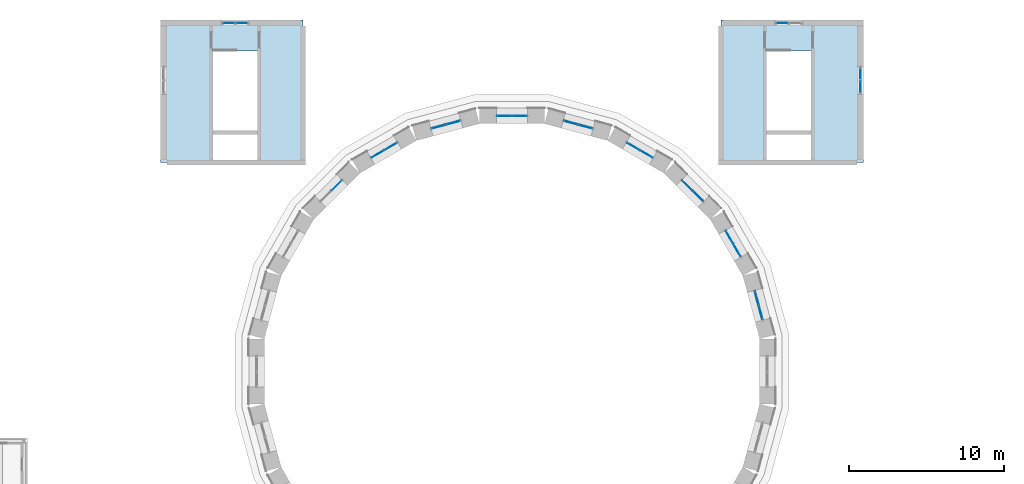
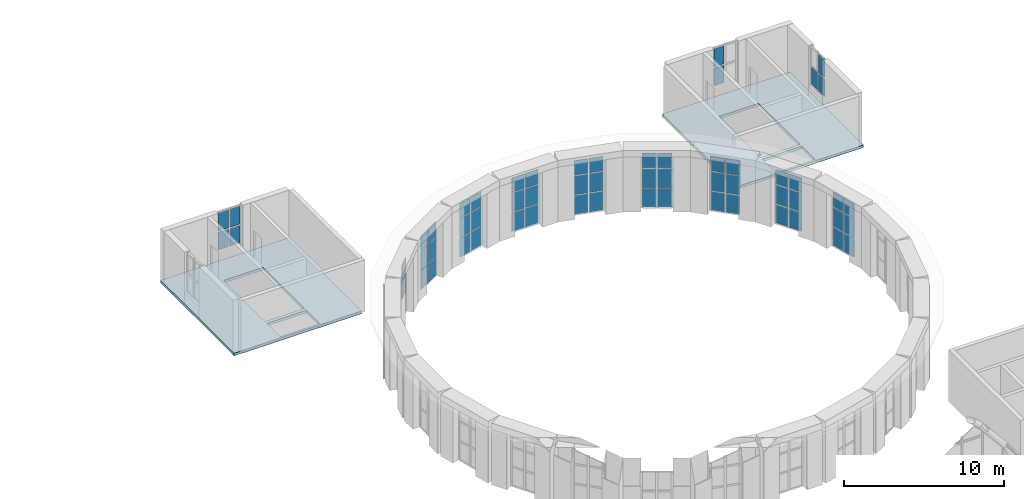
# One storey, part 85 of 121: 59 plates, 2 slabs, 12 elements without a shape of their own.
"""IFC4 building model written with IfcOpenShell, lengths in metres."""

from ifc_helpers import new_model, si_unit, direction, frame, origin, origin_2d, place, context, subcontext, project, spatial, polyline, rectangle, outline, extrude, material, layer, layer_set, type_object, element, aggregate, save


model = new_model("IFC4")

# Units and contexts
model_context = context("Model", 3, precision=1e-05, world=origin(), true_north=direction((0.0, 1.0)))
body_context = subcontext(model_context, "Body", "Model", "MODEL_VIEW")
ifc_project = project(units=[si_unit("LENGTHUNIT", "METRE"), si_unit("AREAUNIT", "SQUARE_METRE"), si_unit("VOLUMEUNIT", "CUBIC_METRE"), si_unit("PLANEANGLEUNIT", "RADIAN"), si_unit("MASSUNIT", "GRAM", prefix="KILO")], contexts=[model_context])

# Site, building, storey
site_placement = place(None, origin())
site = spatial("IfcSite", under=ifc_project, at=site_placement, CompositionType="ELEMENT")
building_placement = place(site_placement, origin())
building = spatial("IfcBuilding", under=site, at=building_placement, Name="Golden Quay Civic Hall", CompositionType="ELEMENT")
storey_placement = place(building_placement, frame((0.0, 0.0, 18.60009765625)))
storey = spatial("IfcBuildingStorey", under=building, at=storey_placement, Name="L04", CompositionType="ELEMENT", Elevation=18.60009765625)

# Slabs
ifc_material_1 = material(Name="Concrete C35/45", Category="concrete")
ifc_layer_1 = layer(ifc_material_1, 0.199951171875)
ifc_layer_set_1 = layer_set([ifc_layer_1], Name="Composite floor 200")
slab_type = type_object("IfcSlabType", Name="Composite floor 200", PredefinedType="FLOOR", material=ifc_layer_set_1)
slab_1_placement = place(storey_placement, frame((0.0, 0.0, -0.2001953125)))
element("IfcSlab", 1, at=slab_1_placement, inside=storey, type_object=slab_type, Name="Slab", PredefinedType="FLOOR", context=body_context, shape_type="SweptSolid", body=[
    extrude(outline(polyline([(72.0, 108.199951171875), (72.0, 99.0), (62.800048828125, 99.0), (62.800048828125, 108.199951171875), (72.0, 108.199951171875)]), holes=[polyline([(69.050048828125, 99.14990234375), (69.050048828125, 100.800048828125), (66.199951171875, 100.800048828125), (66.199951171875, 99.14990234375), (69.050048828125, 99.14990234375)]), polyline([(69.050048828125, 101.050048828125), (69.050048828125, 106.195068359375), (66.199951171875, 106.195068359375), (66.199951171875, 101.050048828125), (69.050048828125, 101.050048828125)])]), origin(), (0.0, 0.0, 1.0), 0.2001953125),
])
slab_2_placement = place(storey_placement, frame((0.0, 0.0, -0.2001953125)))
element("IfcSlab", 2, at=slab_2_placement, inside=storey, type_object=slab_type, Name="Slab", PredefinedType="FLOOR", context=body_context, shape_type="SweptSolid", body=[
    extrude(outline(polyline([(108.199951171875, 108.199951171875), (108.199951171875, 99.0), (99.0, 99.0), (99.0, 108.199951171875), (108.199951171875, 108.199951171875)]), holes=[polyline([(101.949951171875, 99.14990234375), (104.800048828125, 99.14990234375), (104.800048828125, 100.800048828125), (101.949951171875, 100.800048828125), (101.949951171875, 99.14990234375)]), polyline([(104.800048828125, 101.050048828125), (104.800048828125, 106.195068359375), (101.949951171875, 106.195068359375), (101.949951171875, 101.050048828125), (104.800048828125, 101.050048828125)])]), origin(), (0.0, 0.0, 1.0), 0.2001953125),
])

# Curtain wall, plates
ifc_material_2 = material(Name="Glass, laminated double glazed", Category="glass")
ifc_layer_2 = layer(ifc_material_2, 0.199951171875)
ifc_layer_set_2 = layer_set([ifc_layer_2], Name="Glazed drum clerestory curtain wall")
curtain_wall_type_1 = type_object("IfcCurtainWallType", Name="Glazed drum clerestory curtain wall", PredefinedType="NOTDEFINED", material=ifc_layer_set_2)
curtain_wall_1_placement = place(storey_placement, origin())
curtain_wall_1 = element("IfcCurtainWall", 3, at=curtain_wall_1_placement, inside=storey, type_object=curtain_wall_type_1, Name="Clerestory curtain wall 1", PredefinedType="NOTDEFINED")
ifc_material_3 = material(Name="Glass, laminated double glazed", Category="glass")
ifc_layer_3 = layer(ifc_material_3, 0.028076171875)
ifc_layer_set_3 = layer_set([ifc_layer_3], Name="Double glazed curtain wall panel 28")
plate_type_1 = type_object("IfcPlateType", Name="Double glazed curtain wall panel 28", PredefinedType="CURTAIN_PANEL", material=ifc_layer_set_3)
plate_1_placement = place(storey_placement, frame((101.563232421875, 89.302001953125, -0.14013671875), z_axis=(0.0, 0.0, 1.0), x_axis=(-0.258807731996, 0.965928857556, 0.0)))
plate_1 = element("IfcPlate", 4, at=plate_1_placement, type_object=plate_type_1, Name="CW5 panel 1.1", PredefinedType="CURTAIN_PANEL", context=body_context, shape_type="SweptSolid", body=[
    extrude(rectangle(XDim=0.909912109375, YDim=0.028076171875, at=origin_2d()), origin(), (0.0, 0.0, 1.0), 1.409912109375),
])
plate_2_placement = place(storey_placement, frame((101.563232421875, 89.302001953125, 1.329833984375), z_axis=(0.0, 0.0, 1.0), x_axis=(-0.258807731996, 0.965928857556, 0.0)))
plate_2 = element("IfcPlate", 5, at=plate_2_placement, type_object=plate_type_1, Name="CW5 panel 1.2", PredefinedType="CURTAIN_PANEL", context=body_context, shape_type="SweptSolid", body=[
    extrude(rectangle(XDim=0.909912109375, YDim=0.028076171875, at=origin_2d()), origin(), (0.0, 0.0, 1.0), 1.43994140625),
])
plate_3_placement = place(storey_placement, frame((101.563232421875, 89.302001953125, 2.830078125), z_axis=(0.0, 0.0, 1.0), x_axis=(-0.258807731996, 0.965928857556, 0.0)))
plate_3 = element("IfcPlate", 6, at=plate_3_placement, type_object=plate_type_1, Name="CW5 panel 1.3", PredefinedType="CURTAIN_PANEL", context=body_context, shape_type="SweptSolid", body=[
    extrude(rectangle(XDim=0.909912109375, YDim=0.028076171875, at=origin_2d()), origin(), (0.0, 0.0, 1.0), 1.110107421875),
])
plate_4_placement = place(storey_placement, frame((101.312255859375, 90.239013671875, -0.14013671875), z_axis=(0.0, 0.0, 1.0), x_axis=(-0.258807731996, 0.965928857556, 0.0)))
plate_4 = element("IfcPlate", 7, at=plate_4_placement, type_object=plate_type_1, Name="CW5 panel 2.1", PredefinedType="CURTAIN_PANEL", context=body_context, shape_type="SweptSolid", body=[
    extrude(rectangle(XDim=0.909912109375, YDim=0.028076171875, at=origin_2d()), origin(), (0.0, 0.0, 1.0), 1.409912109375),
])
plate_5_placement = place(storey_placement, frame((101.312255859375, 90.239013671875, 1.329833984375), z_axis=(0.0, 0.0, 1.0), x_axis=(-0.258807731996, 0.965928857556, 0.0)))
plate_5 = element("IfcPlate", 8, at=plate_5_placement, type_object=plate_type_1, Name="CW5 panel 2.2", PredefinedType="CURTAIN_PANEL", context=body_context, shape_type="SweptSolid", body=[
    extrude(rectangle(XDim=0.909912109375, YDim=0.028076171875, at=origin_2d()), origin(), (0.0, 0.0, 1.0), 1.43994140625),
])
plate_6_placement = place(storey_placement, frame((101.312255859375, 90.239013671875, 2.830078125), z_axis=(0.0, 0.0, 1.0), x_axis=(-0.258807731996, 0.965928857556, 0.0)))
plate_6 = element("IfcPlate", 9, at=plate_6_placement, type_object=plate_type_1, Name="CW5 panel 2.3", PredefinedType="CURTAIN_PANEL", context=body_context, shape_type="SweptSolid", body=[
    extrude(rectangle(XDim=0.909912109375, YDim=0.028076171875, at=origin_2d()), origin(), (0.0, 0.0, 1.0), 1.110107421875),
])
aggregate(curtain_wall_1, [plate_1, plate_2, plate_3, plate_4, plate_5, plate_6])

curtain_wall_2_placement = place(storey_placement, origin())
curtain_wall_2 = element("IfcCurtainWall", 10, at=curtain_wall_2_placement, inside=storey, type_object=curtain_wall_type_1, Name="Clerestory curtain wall 2", PredefinedType="NOTDEFINED")
plate_7_placement = place(storey_placement, frame((100.031982421875, 93.330078125, -0.14013671875), z_axis=(0.0, 0.0, 1.0), x_axis=(-0.500011000366, 0.866019052627, 0.0)))
plate_7 = element("IfcPlate", 11, at=plate_7_placement, type_object=plate_type_1, Name="CW5 panel 1.1", PredefinedType="CURTAIN_PANEL", context=body_context, shape_type="SweptSolid", body=[
    extrude(rectangle(XDim=0.909912109375, YDim=0.028076171875, at=origin_2d()), origin(), (0.0, 0.0, 1.0), 1.409912109375),
])
plate_8_placement = place(storey_placement, frame((100.031982421875, 93.330078125, 1.329833984375), z_axis=(0.0, 0.0, 1.0), x_axis=(-0.500011000366, 0.866019052627, 0.0)))
plate_8 = element("IfcPlate", 12, at=plate_8_placement, type_object=plate_type_1, Name="CW5 panel 1.2", PredefinedType="CURTAIN_PANEL", context=body_context, shape_type="SweptSolid", body=[
    extrude(rectangle(XDim=0.909912109375, YDim=0.028076171875, at=origin_2d()), origin(), (0.0, 0.0, 1.0), 1.43994140625),
])
plate_9_placement = place(storey_placement, frame((100.031982421875, 93.330078125, 2.830078125), z_axis=(0.0, 0.0, 1.0), x_axis=(-0.500011000366, 0.866019052627, 0.0)))
plate_9 = element("IfcPlate", 13, at=plate_9_placement, type_object=plate_type_1, Name="CW5 panel 1.3", PredefinedType="CURTAIN_PANEL", context=body_context, shape_type="SweptSolid", body=[
    extrude(rectangle(XDim=0.909912109375, YDim=0.028076171875, at=origin_2d()), origin(), (0.0, 0.0, 1.0), 1.110107421875),
])
plate_10_placement = place(storey_placement, frame((99.546875, 94.169921875, -0.14013671875), z_axis=(0.0, 0.0, 1.0), x_axis=(-0.500011000366, 0.866019052627, 0.0)))
plate_10 = element("IfcPlate", 14, at=plate_10_placement, type_object=plate_type_1, Name="CW5 panel 2.1", PredefinedType="CURTAIN_PANEL", context=body_context, shape_type="SweptSolid", body=[
    extrude(rectangle(XDim=0.909912109375, YDim=0.028076171875, at=origin_2d()), origin(), (0.0, 0.0, 1.0), 1.409912109375),
])
plate_11_placement = place(storey_placement, frame((99.546875, 94.169921875, 1.329833984375), z_axis=(0.0, 0.0, 1.0), x_axis=(-0.500011000366, 0.866019052627, 0.0)))
plate_11 = element("IfcPlate", 15, at=plate_11_placement, type_object=plate_type_1, Name="CW5 panel 2.2", PredefinedType="CURTAIN_PANEL", context=body_context, shape_type="SweptSolid", body=[
    extrude(rectangle(XDim=0.909912109375, YDim=0.028076171875, at=origin_2d()), origin(), (0.0, 0.0, 1.0), 1.43994140625),
])
plate_12_placement = place(storey_placement, frame((99.546875, 94.169921875, 2.830078125), z_axis=(0.0, 0.0, 1.0), x_axis=(-0.500011000366, 0.866019052627, 0.0)))
plate_12 = element("IfcPlate", 16, at=plate_12_placement, type_object=plate_type_1, Name="CW5 panel 2.3", PredefinedType="CURTAIN_PANEL", context=body_context, shape_type="SweptSolid", body=[
    extrude(rectangle(XDim=0.909912109375, YDim=0.028076171875, at=origin_2d()), origin(), (0.0, 0.0, 1.0), 1.110107421875),
])
aggregate(curtain_wall_2, [plate_7, plate_8, plate_9, plate_10, plate_11, plate_12])

curtain_wall_3_placement = place(storey_placement, origin())
curtain_wall_3 = element("IfcCurtainWall", 17, at=curtain_wall_3_placement, inside=storey, type_object=curtain_wall_type_1, Name="Clerestory curtain wall 3", PredefinedType="NOTDEFINED")
plate_13_placement = place(storey_placement, frame((97.51025390625, 96.824462890625, -0.14013671875), z_axis=(0.0, 0.0, 1.0), x_axis=(-0.707106781187, 0.707106781187, 0.0)))
plate_13 = element("IfcPlate", 18, at=plate_13_placement, type_object=plate_type_1, Name="CW5 panel 1.1", PredefinedType="CURTAIN_PANEL", context=body_context, shape_type="SweptSolid", body=[
    extrude(rectangle(XDim=0.909912109375, YDim=0.028076171875, at=origin_2d()), origin(), (0.0, 0.0, 1.0), 1.409912109375),
])
plate_14_placement = place(storey_placement, frame((97.51025390625, 96.824462890625, 1.329833984375), z_axis=(0.0, 0.0, 1.0), x_axis=(-0.707106781187, 0.707106781187, 0.0)))
plate_14 = element("IfcPlate", 19, at=plate_14_placement, type_object=plate_type_1, Name="CW5 panel 1.2", PredefinedType="CURTAIN_PANEL", context=body_context, shape_type="SweptSolid", body=[
    extrude(rectangle(XDim=0.909912109375, YDim=0.028076171875, at=origin_2d()), origin(), (0.0, 0.0, 1.0), 1.43994140625),
])
plate_15_placement = place(storey_placement, frame((97.51025390625, 96.824462890625, 2.830078125), z_axis=(0.0, 0.0, 1.0), x_axis=(-0.707106781187, 0.707106781187, 0.0)))
plate_15 = element("IfcPlate", 20, at=plate_15_placement, type_object=plate_type_1, Name="CW5 panel 1.3", PredefinedType="CURTAIN_PANEL", context=body_context, shape_type="SweptSolid", body=[
    extrude(rectangle(XDim=0.909912109375, YDim=0.028076171875, at=origin_2d()), origin(), (0.0, 0.0, 1.0), 1.110107421875),
])
plate_16_placement = place(storey_placement, frame((96.824462890625, 97.51025390625, -0.14013671875), z_axis=(0.0, 0.0, 1.0), x_axis=(-0.707106781187, 0.707106781187, 0.0)))
plate_16 = element("IfcPlate", 21, at=plate_16_placement, type_object=plate_type_1, Name="CW5 panel 2.1", PredefinedType="CURTAIN_PANEL", context=body_context, shape_type="SweptSolid", body=[
    extrude(rectangle(XDim=0.909912109375, YDim=0.028076171875, at=origin_2d()), origin(), (0.0, 0.0, 1.0), 1.409912109375),
])
plate_17_placement = place(storey_placement, frame((96.824462890625, 97.51025390625, 1.329833984375), z_axis=(0.0, 0.0, 1.0), x_axis=(-0.707106781187, 0.707106781187, 0.0)))
plate_17 = element("IfcPlate", 22, at=plate_17_placement, type_object=plate_type_1, Name="CW5 panel 2.2", PredefinedType="CURTAIN_PANEL", context=body_context, shape_type="SweptSolid", body=[
    extrude(rectangle(XDim=0.909912109375, YDim=0.028076171875, at=origin_2d()), origin(), (0.0, 0.0, 1.0), 1.43994140625),
])
plate_18_placement = place(storey_placement, frame((96.824462890625, 97.51025390625, 2.830078125), z_axis=(0.0, 0.0, 1.0), x_axis=(-0.707106781187, 0.707106781187, 0.0)))
plate_18 = element("IfcPlate", 23, at=plate_18_placement, type_object=plate_type_1, Name="CW5 panel 2.3", PredefinedType="CURTAIN_PANEL", context=body_context, shape_type="SweptSolid", body=[
    extrude(rectangle(XDim=0.909912109375, YDim=0.028076171875, at=origin_2d()), origin(), (0.0, 0.0, 1.0), 1.110107421875),
])
aggregate(curtain_wall_3, [plate_13, plate_14, plate_15, plate_16, plate_17, plate_18])

curtain_wall_4_placement = place(storey_placement, origin())
curtain_wall_4 = element("IfcCurtainWall", 24, at=curtain_wall_4_placement, inside=storey, type_object=curtain_wall_type_1, Name="Clerestory curtain wall 4", PredefinedType="NOTDEFINED")
plate_19_placement = place(storey_placement, frame((94.169921875, 99.546875, -0.14013671875), z_axis=(0.0, 0.0, 1.0), x_axis=(-0.866019052627, 0.500011000366, 0.0)))
plate_19 = element("IfcPlate", 25, at=plate_19_placement, type_object=plate_type_1, Name="CW5 panel 1.1", PredefinedType="CURTAIN_PANEL", context=body_context, shape_type="SweptSolid", body=[
    extrude(rectangle(XDim=0.909912109375, YDim=0.028076171875, at=origin_2d()), origin(), (0.0, 0.0, 1.0), 1.409912109375),
])
plate_20_placement = place(storey_placement, frame((94.169921875, 99.546875, 1.329833984375), z_axis=(0.0, 0.0, 1.0), x_axis=(-0.866019052627, 0.500011000366, 0.0)))
plate_20 = element("IfcPlate", 26, at=plate_20_placement, type_object=plate_type_1, Name="CW5 panel 1.2", PredefinedType="CURTAIN_PANEL", context=body_context, shape_type="SweptSolid", body=[
    extrude(rectangle(XDim=0.909912109375, YDim=0.028076171875, at=origin_2d()), origin(), (0.0, 0.0, 1.0), 1.43994140625),
])
plate_21_placement = place(storey_placement, frame((94.169921875, 99.546875, 2.830078125), z_axis=(0.0, 0.0, 1.0), x_axis=(-0.866019052627, 0.500011000366, 0.0)))
plate_21 = element("IfcPlate", 27, at=plate_21_placement, type_object=plate_type_1, Name="CW5 panel 1.3", PredefinedType="CURTAIN_PANEL", context=body_context, shape_type="SweptSolid", body=[
    extrude(rectangle(XDim=0.909912109375, YDim=0.028076171875, at=origin_2d()), origin(), (0.0, 0.0, 1.0), 1.110107421875),
])
plate_22_placement = place(storey_placement, frame((93.330078125, 100.031982421875, -0.14013671875), z_axis=(0.0, 0.0, 1.0), x_axis=(-0.866019052627, 0.500011000366, 0.0)))
plate_22 = element("IfcPlate", 28, at=plate_22_placement, type_object=plate_type_1, Name="CW5 panel 2.1", PredefinedType="CURTAIN_PANEL", context=body_context, shape_type="SweptSolid", body=[
    extrude(rectangle(XDim=0.909912109375, YDim=0.028076171875, at=origin_2d()), origin(), (0.0, 0.0, 1.0), 1.409912109375),
])
plate_23_placement = place(storey_placement, frame((93.330078125, 100.031982421875, 1.329833984375), z_axis=(0.0, 0.0, 1.0), x_axis=(-0.866019052627, 0.500011000366, 0.0)))
plate_23 = element("IfcPlate", 29, at=plate_23_placement, type_object=plate_type_1, Name="CW5 panel 2.2", PredefinedType="CURTAIN_PANEL", context=body_context, shape_type="SweptSolid", body=[
    extrude(rectangle(XDim=0.909912109375, YDim=0.028076171875, at=origin_2d()), origin(), (0.0, 0.0, 1.0), 1.43994140625),
])
plate_24_placement = place(storey_placement, frame((93.330078125, 100.031982421875, 2.830078125), z_axis=(0.0, 0.0, 1.0), x_axis=(-0.866019052627, 0.500011000366, 0.0)))
plate_24 = element("IfcPlate", 30, at=plate_24_placement, type_object=plate_type_1, Name="CW5 panel 2.3", PredefinedType="CURTAIN_PANEL", context=body_context, shape_type="SweptSolid", body=[
    extrude(rectangle(XDim=0.909912109375, YDim=0.028076171875, at=origin_2d()), origin(), (0.0, 0.0, 1.0), 1.110107421875),
])
aggregate(curtain_wall_4, [plate_19, plate_20, plate_21, plate_22, plate_23, plate_24])

curtain_wall_5_placement = place(storey_placement, origin())
curtain_wall_5 = element("IfcCurtainWall", 31, at=curtain_wall_5_placement, inside=storey, type_object=curtain_wall_type_1, Name="Clerestory curtain wall 5", PredefinedType="NOTDEFINED")
plate_25_placement = place(storey_placement, frame((90.239013671875, 101.312255859375, -0.14013671875), z_axis=(0.0, 0.0, 1.0), x_axis=(-0.965928857556, 0.258807731996, 0.0)))
plate_25 = element("IfcPlate", 32, at=plate_25_placement, type_object=plate_type_1, Name="CW5 panel 1.1", PredefinedType="CURTAIN_PANEL", context=body_context, shape_type="SweptSolid", body=[
    extrude(rectangle(XDim=0.909912109375, YDim=0.028076171875, at=origin_2d()), origin(), (0.0, 0.0, 1.0), 1.409912109375),
])
plate_26_placement = place(storey_placement, frame((90.239013671875, 101.312255859375, 1.329833984375), z_axis=(0.0, 0.0, 1.0), x_axis=(-0.965928857556, 0.258807731996, 0.0)))
plate_26 = element("IfcPlate", 33, at=plate_26_placement, type_object=plate_type_1, Name="CW5 panel 1.2", PredefinedType="CURTAIN_PANEL", context=body_context, shape_type="SweptSolid", body=[
    extrude(rectangle(XDim=0.909912109375, YDim=0.028076171875, at=origin_2d()), origin(), (0.0, 0.0, 1.0), 1.43994140625),
])
plate_27_placement = place(storey_placement, frame((90.239013671875, 101.312255859375, 2.830078125), z_axis=(0.0, 0.0, 1.0), x_axis=(-0.965928857556, 0.258807731996, 0.0)))
plate_27 = element("IfcPlate", 34, at=plate_27_placement, type_object=plate_type_1, Name="CW5 panel 1.3", PredefinedType="CURTAIN_PANEL", context=body_context, shape_type="SweptSolid", body=[
    extrude(rectangle(XDim=0.909912109375, YDim=0.028076171875, at=origin_2d()), origin(), (0.0, 0.0, 1.0), 1.110107421875),
])
plate_28_placement = place(storey_placement, frame((89.302001953125, 101.563232421875, -0.14013671875), z_axis=(0.0, 0.0, 1.0), x_axis=(-0.965928857556, 0.258807731996, 0.0)))
plate_28 = element("IfcPlate", 35, at=plate_28_placement, type_object=plate_type_1, Name="CW5 panel 2.1", PredefinedType="CURTAIN_PANEL", context=body_context, shape_type="SweptSolid", body=[
    extrude(rectangle(XDim=0.909912109375, YDim=0.028076171875, at=origin_2d()), origin(), (0.0, 0.0, 1.0), 1.409912109375),
])
plate_29_placement = place(storey_placement, frame((89.302001953125, 101.563232421875, 1.329833984375), z_axis=(0.0, 0.0, 1.0), x_axis=(-0.965928857556, 0.258807731996, 0.0)))
plate_29 = element("IfcPlate", 36, at=plate_29_placement, type_object=plate_type_1, Name="CW5 panel 2.2", PredefinedType="CURTAIN_PANEL", context=body_context, shape_type="SweptSolid", body=[
    extrude(rectangle(XDim=0.909912109375, YDim=0.028076171875, at=origin_2d()), origin(), (0.0, 0.0, 1.0), 1.43994140625),
])
plate_30_placement = place(storey_placement, frame((89.302001953125, 101.563232421875, 2.830078125), z_axis=(0.0, 0.0, 1.0), x_axis=(-0.965928857556, 0.258807731996, 0.0)))
plate_30 = element("IfcPlate", 37, at=plate_30_placement, type_object=plate_type_1, Name="CW5 panel 2.3", PredefinedType="CURTAIN_PANEL", context=body_context, shape_type="SweptSolid", body=[
    extrude(rectangle(XDim=0.909912109375, YDim=0.028076171875, at=origin_2d()), origin(), (0.0, 0.0, 1.0), 1.110107421875),
])
aggregate(curtain_wall_5, [plate_25, plate_26, plate_27, plate_28, plate_29, plate_30])

curtain_wall_6_placement = place(storey_placement, origin())
curtain_wall_6 = element("IfcCurtainWall", 38, at=curtain_wall_6_placement, inside=storey, type_object=curtain_wall_type_1, Name="Clerestory curtain wall 6", PredefinedType="NOTDEFINED")
plate_31_placement = place(storey_placement, frame((85.985107421875, 102.0, -0.14013671875), z_axis=(0.0, 0.0, 1.0), x_axis=(-1.0, 0.0, 0.0)))
plate_31 = element("IfcPlate", 39, at=plate_31_placement, type_object=plate_type_1, Name="CW5 panel 1.1", PredefinedType="CURTAIN_PANEL", context=body_context, shape_type="SweptSolid", body=[
    extrude(rectangle(XDim=0.909912109375, YDim=0.028076171875, at=origin_2d()), origin(), (0.0, 0.0, 1.0), 1.409912109375),
])
plate_32_placement = place(storey_placement, frame((85.985107421875, 102.0, 1.329833984375), z_axis=(0.0, 0.0, 1.0), x_axis=(-1.0, 0.0, 0.0)))
plate_32 = element("IfcPlate", 40, at=plate_32_placement, type_object=plate_type_1, Name="CW5 panel 1.2", PredefinedType="CURTAIN_PANEL", context=body_context, shape_type="SweptSolid", body=[
    extrude(rectangle(XDim=0.909912109375, YDim=0.028076171875, at=origin_2d()), origin(), (0.0, 0.0, 1.0), 1.43994140625),
])
plate_33_placement = place(storey_placement, frame((85.985107421875, 102.0, 2.830078125), z_axis=(0.0, 0.0, 1.0), x_axis=(-1.0, 0.0, 0.0)))
plate_33 = element("IfcPlate", 41, at=plate_33_placement, type_object=plate_type_1, Name="CW5 panel 1.3", PredefinedType="CURTAIN_PANEL", context=body_context, shape_type="SweptSolid", body=[
    extrude(rectangle(XDim=0.909912109375, YDim=0.028076171875, at=origin_2d()), origin(), (0.0, 0.0, 1.0), 1.110107421875),
])
plate_34_placement = place(storey_placement, frame((85.014892578125, 102.0, -0.14013671875), z_axis=(0.0, 0.0, 1.0), x_axis=(-1.0, 0.0, 0.0)))
plate_34 = element("IfcPlate", 42, at=plate_34_placement, type_object=plate_type_1, Name="CW5 panel 2.1", PredefinedType="CURTAIN_PANEL", context=body_context, shape_type="SweptSolid", body=[
    extrude(rectangle(XDim=0.909912109375, YDim=0.028076171875, at=origin_2d()), origin(), (0.0, 0.0, 1.0), 1.409912109375),
])
plate_35_placement = place(storey_placement, frame((85.014892578125, 102.0, 1.329833984375), z_axis=(0.0, 0.0, 1.0), x_axis=(-1.0, 0.0, 0.0)))
plate_35 = element("IfcPlate", 43, at=plate_35_placement, type_object=plate_type_1, Name="CW5 panel 2.2", PredefinedType="CURTAIN_PANEL", context=body_context, shape_type="SweptSolid", body=[
    extrude(rectangle(XDim=0.909912109375, YDim=0.028076171875, at=origin_2d()), origin(), (0.0, 0.0, 1.0), 1.43994140625),
])
plate_36_placement = place(storey_placement, frame((85.014892578125, 102.0, 2.830078125), z_axis=(0.0, 0.0, 1.0), x_axis=(-1.0, 0.0, 0.0)))
plate_36 = element("IfcPlate", 44, at=plate_36_placement, type_object=plate_type_1, Name="CW5 panel 2.3", PredefinedType="CURTAIN_PANEL", context=body_context, shape_type="SweptSolid", body=[
    extrude(rectangle(XDim=0.909912109375, YDim=0.028076171875, at=origin_2d()), origin(), (0.0, 0.0, 1.0), 1.110107421875),
])
aggregate(curtain_wall_6, [plate_31, plate_32, plate_33, plate_34, plate_35, plate_36])

curtain_wall_7_placement = place(storey_placement, origin())
curtain_wall_7 = element("IfcCurtainWall", 45, at=curtain_wall_7_placement, inside=storey, type_object=curtain_wall_type_1, Name="Clerestory curtain wall 7", PredefinedType="NOTDEFINED")
plate_37_placement = place(storey_placement, frame((81.697998046875, 101.563232421875, -0.14013671875), z_axis=(0.0, 0.0, 1.0), x_axis=(-0.965928857556, -0.258807731996, 0.0)))
plate_37 = element("IfcPlate", 46, at=plate_37_placement, type_object=plate_type_1, Name="CW5 panel 1.1", PredefinedType="CURTAIN_PANEL", context=body_context, shape_type="SweptSolid", body=[
    extrude(rectangle(XDim=0.909912109375, YDim=0.028076171875, at=origin_2d()), origin(), (0.0, 0.0, 1.0), 1.409912109375),
])
plate_38_placement = place(storey_placement, frame((81.697998046875, 101.563232421875, 1.329833984375), z_axis=(0.0, 0.0, 1.0), x_axis=(-0.965928857556, -0.258807731996, 0.0)))
plate_38 = element("IfcPlate", 47, at=plate_38_placement, type_object=plate_type_1, Name="CW5 panel 1.2", PredefinedType="CURTAIN_PANEL", context=body_context, shape_type="SweptSolid", body=[
    extrude(rectangle(XDim=0.909912109375, YDim=0.028076171875, at=origin_2d()), origin(), (0.0, 0.0, 1.0), 1.43994140625),
])
plate_39_placement = place(storey_placement, frame((81.697998046875, 101.563232421875, 2.830078125), z_axis=(0.0, 0.0, 1.0), x_axis=(-0.965928857556, -0.258807731996, 0.0)))
plate_39 = element("IfcPlate", 48, at=plate_39_placement, type_object=plate_type_1, Name="CW5 panel 1.3", PredefinedType="CURTAIN_PANEL", context=body_context, shape_type="SweptSolid", body=[
    extrude(rectangle(XDim=0.909912109375, YDim=0.028076171875, at=origin_2d()), origin(), (0.0, 0.0, 1.0), 1.110107421875),
])
plate_40_placement = place(storey_placement, frame((80.760986328125, 101.312255859375, -0.14013671875), z_axis=(0.0, 0.0, 1.0), x_axis=(-0.965928857556, -0.258807731996, 0.0)))
plate_40 = element("IfcPlate", 49, at=plate_40_placement, type_object=plate_type_1, Name="CW5 panel 2.1", PredefinedType="CURTAIN_PANEL", context=body_context, shape_type="SweptSolid", body=[
    extrude(rectangle(XDim=0.909912109375, YDim=0.028076171875, at=origin_2d()), origin(), (0.0, 0.0, 1.0), 1.409912109375),
])
plate_41_placement = place(storey_placement, frame((80.760986328125, 101.312255859375, 1.329833984375), z_axis=(0.0, 0.0, 1.0), x_axis=(-0.965928857556, -0.258807731996, 0.0)))
plate_41 = element("IfcPlate", 50, at=plate_41_placement, type_object=plate_type_1, Name="CW5 panel 2.2", PredefinedType="CURTAIN_PANEL", context=body_context, shape_type="SweptSolid", body=[
    extrude(rectangle(XDim=0.909912109375, YDim=0.028076171875, at=origin_2d()), origin(), (0.0, 0.0, 1.0), 1.43994140625),
])
plate_42_placement = place(storey_placement, frame((80.760986328125, 101.312255859375, 2.830078125), z_axis=(0.0, 0.0, 1.0), x_axis=(-0.965928857556, -0.258807731996, 0.0)))
plate_42 = element("IfcPlate", 51, at=plate_42_placement, type_object=plate_type_1, Name="CW5 panel 2.3", PredefinedType="CURTAIN_PANEL", context=body_context, shape_type="SweptSolid", body=[
    extrude(rectangle(XDim=0.909912109375, YDim=0.028076171875, at=origin_2d()), origin(), (0.0, 0.0, 1.0), 1.110107421875),
])
aggregate(curtain_wall_7, [plate_37, plate_38, plate_39, plate_40, plate_41, plate_42])

curtain_wall_8_placement = place(storey_placement, origin())
curtain_wall_8 = element("IfcCurtainWall", 52, at=curtain_wall_8_placement, inside=storey, type_object=curtain_wall_type_1, Name="Clerestory curtain wall 8", PredefinedType="NOTDEFINED")
plate_43_placement = place(storey_placement, frame((77.669921875, 100.031982421875, -0.14013671875), z_axis=(0.0, 0.0, 1.0), x_axis=(-0.866019052627, -0.500011000366, 0.0)))
plate_43 = element("IfcPlate", 53, at=plate_43_placement, type_object=plate_type_1, Name="CW5 panel 1.1", PredefinedType="CURTAIN_PANEL", context=body_context, shape_type="SweptSolid", body=[
    extrude(rectangle(XDim=0.909912109375, YDim=0.028076171875, at=origin_2d()), origin(), (0.0, 0.0, 1.0), 1.409912109375),
])
plate_44_placement = place(storey_placement, frame((77.669921875, 100.031982421875, 1.329833984375), z_axis=(0.0, 0.0, 1.0), x_axis=(-0.866019052627, -0.500011000366, 0.0)))
plate_44 = element("IfcPlate", 54, at=plate_44_placement, type_object=plate_type_1, Name="CW5 panel 1.2", PredefinedType="CURTAIN_PANEL", context=body_context, shape_type="SweptSolid", body=[
    extrude(rectangle(XDim=0.909912109375, YDim=0.028076171875, at=origin_2d()), origin(), (0.0, 0.0, 1.0), 1.43994140625),
])
plate_45_placement = place(storey_placement, frame((77.669921875, 100.031982421875, 2.830078125), z_axis=(0.0, 0.0, 1.0), x_axis=(-0.866019052627, -0.500011000366, 0.0)))
plate_45 = element("IfcPlate", 55, at=plate_45_placement, type_object=plate_type_1, Name="CW5 panel 1.3", PredefinedType="CURTAIN_PANEL", context=body_context, shape_type="SweptSolid", body=[
    extrude(rectangle(XDim=0.909912109375, YDim=0.028076171875, at=origin_2d()), origin(), (0.0, 0.0, 1.0), 1.110107421875),
])
plate_46_placement = place(storey_placement, frame((76.830078125, 99.546875, -0.14013671875), z_axis=(0.0, 0.0, 1.0), x_axis=(-0.866019052627, -0.500011000366, 0.0)))
plate_46 = element("IfcPlate", 56, at=plate_46_placement, type_object=plate_type_1, Name="CW5 panel 2.1", PredefinedType="CURTAIN_PANEL", context=body_context, shape_type="SweptSolid", body=[
    extrude(rectangle(XDim=0.909912109375, YDim=0.028076171875, at=origin_2d()), origin(), (0.0, 0.0, 1.0), 1.409912109375),
])
plate_47_placement = place(storey_placement, frame((76.830078125, 99.546875, 1.329833984375), z_axis=(0.0, 0.0, 1.0), x_axis=(-0.866019052627, -0.500011000366, 0.0)))
plate_47 = element("IfcPlate", 57, at=plate_47_placement, type_object=plate_type_1, Name="CW5 panel 2.2", PredefinedType="CURTAIN_PANEL", context=body_context, shape_type="SweptSolid", body=[
    extrude(rectangle(XDim=0.909912109375, YDim=0.028076171875, at=origin_2d()), origin(), (0.0, 0.0, 1.0), 1.43994140625),
])
plate_48_placement = place(storey_placement, frame((76.830078125, 99.546875, 2.830078125), z_axis=(0.0, 0.0, 1.0), x_axis=(-0.866019052627, -0.500011000366, 0.0)))
plate_48 = element("IfcPlate", 58, at=plate_48_placement, type_object=plate_type_1, Name="CW5 panel 2.3", PredefinedType="CURTAIN_PANEL", context=body_context, shape_type="SweptSolid", body=[
    extrude(rectangle(XDim=0.909912109375, YDim=0.028076171875, at=origin_2d()), origin(), (0.0, 0.0, 1.0), 1.110107421875),
])
aggregate(curtain_wall_8, [plate_43, plate_44, plate_45, plate_46, plate_47, plate_48])

curtain_wall_9_placement = place(storey_placement, origin())
curtain_wall_9 = element("IfcCurtainWall", 59, at=curtain_wall_9_placement, inside=storey, type_object=curtain_wall_type_1, Name="Clerestory curtain wall 9", PredefinedType="NOTDEFINED")
plate_49_placement = place(storey_placement, frame((74.175537109375, 97.51025390625, 1.329833984375), z_axis=(0.0, 0.0, 1.0), x_axis=(-0.707106781187, -0.707106781187, 0.0)))
plate_49 = element("IfcPlate", 60, at=plate_49_placement, type_object=plate_type_1, Name="CW5 panel 1.2", PredefinedType="CURTAIN_PANEL", context=body_context, shape_type="SweptSolid", body=[
    extrude(rectangle(XDim=0.909912109375, YDim=0.028076171875, at=origin_2d()), origin(), (0.0, 0.0, 1.0), 1.43994140625),
])
plate_50_placement = place(storey_placement, frame((74.175537109375, 97.51025390625, 2.830078125), z_axis=(0.0, 0.0, 1.0), x_axis=(-0.707106781187, -0.707106781187, 0.0)))
plate_50 = element("IfcPlate", 61, at=plate_50_placement, type_object=plate_type_1, Name="CW5 panel 1.3", PredefinedType="CURTAIN_PANEL", context=body_context, shape_type="SweptSolid", body=[
    extrude(rectangle(XDim=0.909912109375, YDim=0.028076171875, at=origin_2d()), origin(), (0.0, 0.0, 1.0), 1.110107421875),
])
aggregate(curtain_wall_9, [plate_49, plate_50])

ifc_material_4 = material(Name="Fire-resisting glass and steel", Category="steel")
curtain_wall_type_2 = type_object("IfcCurtainWallType", Name="Fire-resisting glazed stair curtain wall EI 120", PredefinedType="NOTDEFINED", material=ifc_material_4)
curtain_wall_10_placement = place(storey_placement, origin())
curtain_wall_10 = element("IfcCurtainWall", 62, at=curtain_wall_10_placement, inside=storey, type_object=curtain_wall_type_2, Name="CW4 stair curtain wall", PredefinedType="NOTDEFINED")
ifc_material_5 = material(Name="Fire-resisting laminated glass", Category="glass")
ifc_layer_4 = layer(ifc_material_5, 0.0400390625)
ifc_layer_set_4 = layer_set([ifc_layer_4], Name="Fire-resisting glazed stair panel 40")
plate_type_2 = type_object("IfcPlateType", Name="Fire-resisting glazed stair panel 40", PredefinedType="CURTAIN_PANEL", material=ifc_layer_set_4)
plate_51_placement = place(storey_placement, frame((67.205078125, 108.0, 1.02001953125), z_axis=(0.0, 0.0, 1.0), x_axis=(1.0, 0.0, 0.0)))
plate_51 = element("IfcPlate", 63, at=plate_51_placement, type_object=plate_type_2, Name="CW4 panel 1.1", PredefinedType="CURTAIN_PANEL", context=body_context, shape_type="SweptSolid", body=[
    extrude(rectangle(XDim=0.719970703125, YDim=0.0400390625, at=origin_2d()), origin(), (0.0, 0.0, 1.0), 1.320068359375),
])
plate_52_placement = place(storey_placement, frame((67.205078125, 108.0, 2.4599609375), z_axis=(0.0, 0.0, 1.0), x_axis=(1.0, 0.0, 0.0)))
plate_52 = element("IfcPlate", 64, at=plate_52_placement, type_object=plate_type_2, Name="CW4 panel 1.2", PredefinedType="CURTAIN_PANEL", context=body_context, shape_type="SweptSolid", body=[
    extrude(rectangle(XDim=0.719970703125, YDim=0.0400390625, at=origin_2d()), origin(), (0.0, 0.0, 1.0), 1.3701171875),
])
plate_53_placement = place(storey_placement, frame((68.044921875, 108.0, 1.02001953125), z_axis=(0.0, 0.0, 1.0), x_axis=(1.0, 0.0, 0.0)))
plate_53 = element("IfcPlate", 65, at=plate_53_placement, type_object=plate_type_2, Name="CW4 panel 2.1", PredefinedType="CURTAIN_PANEL", context=body_context, shape_type="SweptSolid", body=[
    extrude(rectangle(XDim=0.719970703125, YDim=0.0400390625, at=origin_2d()), origin(), (0.0, 0.0, 1.0), 1.320068359375),
])
plate_54_placement = place(storey_placement, frame((68.044921875, 108.0, 2.4599609375), z_axis=(0.0, 0.0, 1.0), x_axis=(1.0, 0.0, 0.0)))
plate_54 = element("IfcPlate", 66, at=plate_54_placement, type_object=plate_type_2, Name="CW4 panel 2.2", PredefinedType="CURTAIN_PANEL", context=body_context, shape_type="SweptSolid", body=[
    extrude(rectangle(XDim=0.719970703125, YDim=0.0400390625, at=origin_2d()), origin(), (0.0, 0.0, 1.0), 1.3701171875),
])
aggregate(curtain_wall_10, [plate_51, plate_52, plate_53, plate_54])

curtain_wall_11_placement = place(storey_placement, origin())
curtain_wall_11 = element("IfcCurtainWall", 67, at=curtain_wall_11_placement, inside=storey, type_object=curtain_wall_type_2, Name="CW4 stair curtain wall", PredefinedType="NOTDEFINED")
plate_55_placement = place(storey_placement, frame((102.955078125, 108.0, 1.02001953125), z_axis=(0.0, 0.0, 1.0), x_axis=(1.0, 0.0, 0.0)))
plate_55 = element("IfcPlate", 68, at=plate_55_placement, type_object=plate_type_2, Name="CW4 panel 1.1", PredefinedType="CURTAIN_PANEL", context=body_context, shape_type="SweptSolid", body=[
    extrude(rectangle(XDim=0.719970703125, YDim=0.0400390625, at=origin_2d()), origin(), (0.0, 0.0, 1.0), 1.320068359375),
])
plate_56_placement = place(storey_placement, frame((102.955078125, 108.0, 2.4599609375), z_axis=(0.0, 0.0, 1.0), x_axis=(1.0, 0.0, 0.0)))
plate_56 = element("IfcPlate", 69, at=plate_56_placement, type_object=plate_type_2, Name="CW4 panel 1.2", PredefinedType="CURTAIN_PANEL", context=body_context, shape_type="SweptSolid", body=[
    extrude(rectangle(XDim=0.719970703125, YDim=0.0400390625, at=origin_2d()), origin(), (0.0, 0.0, 1.0), 1.3701171875),
])
aggregate(curtain_wall_11, [plate_55, plate_56])

curtain_wall_12_placement = place(storey_placement, origin())
curtain_wall_12 = element("IfcCurtainWall", 70, at=curtain_wall_12_placement, inside=storey, type_object=curtain_wall_type_2, Name="CW4 stair curtain wall", PredefinedType="NOTDEFINED")
plate_57_placement = place(storey_placement, frame((108.0, 103.8798828125, 1.02001953125), z_axis=(0.0, 0.0, 1.0), x_axis=(0.0, 1.0, 0.0)))
plate_57 = element("IfcPlate", 71, at=plate_57_placement, type_object=plate_type_2, Name="CW4 panel 1.1", PredefinedType="CURTAIN_PANEL", context=body_context, shape_type="SweptSolid", body=[
    extrude(rectangle(XDim=0.719970703125, YDim=0.0400390625, at=origin_2d()), origin(), (0.0, 0.0, 1.0), 1.320068359375),
])
plate_58_placement = place(storey_placement, frame((108.0, 103.8798828125, 2.4599609375), z_axis=(0.0, 0.0, 1.0), x_axis=(0.0, 1.0, 0.0)))
plate_58 = element("IfcPlate", 72, at=plate_58_placement, type_object=plate_type_2, Name="CW4 panel 1.2", PredefinedType="CURTAIN_PANEL", context=body_context, shape_type="SweptSolid", body=[
    extrude(rectangle(XDim=0.719970703125, YDim=0.0400390625, at=origin_2d()), origin(), (0.0, 0.0, 1.0), 1.3701171875),
])
plate_59_placement = place(storey_placement, frame((108.0, 104.719970703125, 1.02001953125), z_axis=(0.0, 0.0, 1.0), x_axis=(0.0, 1.0, 0.0)))
plate_59 = element("IfcPlate", 73, at=plate_59_placement, type_object=plate_type_2, Name="CW4 panel 2.1", PredefinedType="CURTAIN_PANEL", context=body_context, shape_type="SweptSolid", body=[
    extrude(rectangle(XDim=0.719970703125, YDim=0.0400390625, at=origin_2d()), origin(), (0.0, 0.0, 1.0), 1.320068359375),
])
aggregate(curtain_wall_12, [plate_57, plate_58, plate_59])

save(model, "model.ifc")
